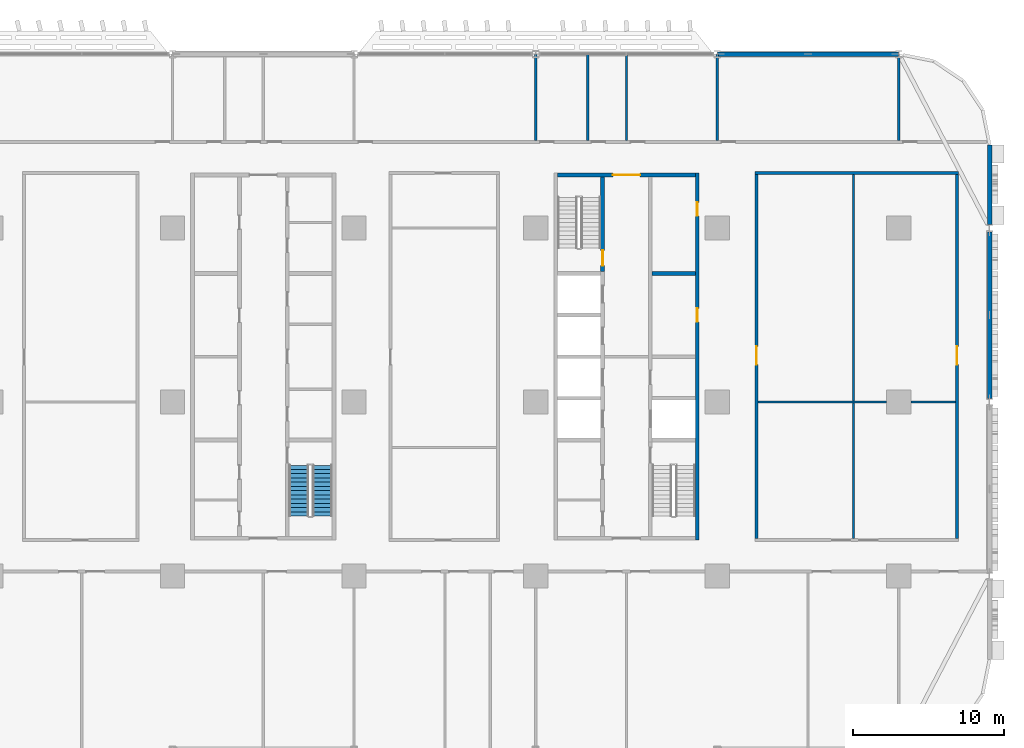
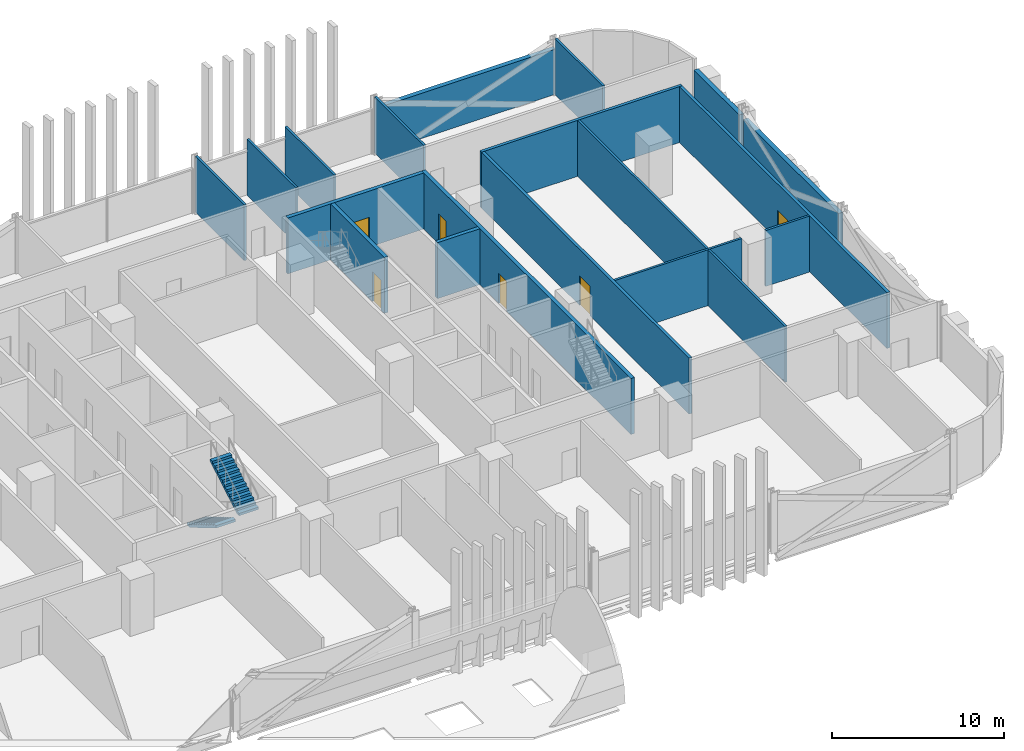
# One storey, part 15 of 31: 18 walls, 6 doors, 2 stair flights, 6 openings, 1 element without a shape of its own.
"""IFC4 building model written with IfcOpenShell, lengths in metres."""

from ifc_helpers import new_model, si_unit, direction, frame, frame_2d, origin, place, context, subcontext, project, spatial, polyline, rectangle, outline, extrude, material, layer, layer_set, type_object, element, fill, aggregate, save


model = new_model("IFC4")

# Units and contexts
model_context = context("Model", 3, precision=1e-05, world=origin(), true_north=direction((0.0, 1.0)))
body_context = subcontext(model_context, "Body", "Model", "MODEL_VIEW")
ifc_project = project(units=[si_unit("LENGTHUNIT", "METRE"), si_unit("AREAUNIT", "SQUARE_METRE"), si_unit("VOLUMEUNIT", "CUBIC_METRE"), si_unit("PLANEANGLEUNIT", "RADIAN"), si_unit("MASSUNIT", "GRAM", prefix="KILO")], contexts=[model_context])

# Site, building, storey
site_placement = place(None, origin())
site = spatial("IfcSite", under=ifc_project, at=site_placement, CompositionType="ELEMENT")
building_placement = place(site_placement, origin())
building = spatial("IfcBuilding", under=site, at=building_placement, Name="Mahtab Terrace Research Tower", CompositionType="ELEMENT")
storey_placement = place(building_placement, frame((0.0, 0.0, 11.5)))
storey = spatial("IfcBuildingStorey", under=building, at=storey_placement, Name="L02", CompositionType="ELEMENT", Elevation=11.5)

# Wall, openings, doors
ifc_material_1 = material(Name="Concrete C70/85", Category="concrete")
ifc_layer_1 = layer(ifc_material_1, 0.25)
ifc_layer_set_1 = layer_set([ifc_layer_1], Name="Core wall 250")
wall_type_1 = type_object("IfcWallType", Name="Core wall 250", PredefinedType="SOLIDWALL", material=ifc_layer_set_1)
wall_1_placement = place(storey_placement, frame((28.675048828125, -9.125, 0.0), z_axis=(0.0, 0.0, 1.0), x_axis=(0.0, 1.0, 0.0)))
wall_1 = element("IfcWall", 1, at=wall_1_placement, inside=storey, type_object=wall_type_1, Name="Core wall C outerE", PredefinedType="SOLIDWALL", context=body_context, shape_type="SweptSolid", body=[
    extrude(rectangle(XDim=24.25, YDim=0.25, at=frame_2d((12.125, 0.0))), origin(), (0.0, 0.0, 1.0), 3.9599609375),
])
opening_1_placement = place(wall_1_placement, frame((14.425048828125, 0.0, 0.0)))
opening_1 = element("IfcOpeningElement", 2, at=opening_1_placement, cuts=wall_1, Name="Opening C-R2", PredefinedType="OPENING", context=body_context, shape_type="SweptSolid", body=[
    extrude(rectangle(XDim=0.89990234375, YDim=2.10009765625, at=frame_2d((0.449951171875, 1.050048828125))), frame((0.0, 0.135009765625, 0.0), z_axis=(0.0, -1.0, 0.0), x_axis=(1.0, 0.0, 0.0)), (0.0, 0.0, 1.0), 0.27001953125),
])
opening_2_placement = place(wall_1_placement, frame((21.425048828125, 0.0, 0.0)))
opening_2 = element("IfcOpeningElement", 3, at=opening_2_placement, cuts=wall_1, Name="Opening C-R5", PredefinedType="OPENING", context=body_context, shape_type="SweptSolid", body=[
    extrude(rectangle(XDim=0.89990234375, YDim=2.10009765625, at=frame_2d((0.449951171875, 1.050048828125))), frame((0.0, 0.135009765625, 0.0), z_axis=(0.0, -1.0, 0.0), x_axis=(1.0, 0.0, 0.0)), (0.0, 0.0, 1.0), 0.27001953125),
])
ifc_material_2 = material(Name="Steel fire door", Category="steel")
door_type_1 = type_object("IfcDoorType", Name="Room door 900x2100 1 HR", OperationType="NOTDEFINED", PredefinedType="DOOR", material=ifc_material_2)
door_1_placement = place(opening_1_placement, origin())
door_1 = element("IfcDoor", 4, at=door_1_placement, inside=storey, type_object=door_type_1, Name="Plant room door", OperationType="SINGLE_SWING_RIGHT", OverallHeight=2.10009765625, OverallWidth=0.89990234375, PredefinedType="DOOR", context=body_context, shape_type="SweptSolid", body=[
    extrude(rectangle(XDim=0.89990234375, YDim=2.10009765625, at=frame_2d((0.449951171875, 1.050048828125))), frame((0.0, 0.02490234375, 0.0), z_axis=(0.0, -1.0, 0.0), x_axis=(1.0, 0.0, 0.0)), (0.0, 0.0, 1.0), 0.050048828125),
])
fill(opening_1, door_1)
door_2_placement = place(opening_2_placement, origin())
door_2 = element("IfcDoor", 5, at=door_2_placement, inside=storey, type_object=door_type_1, Name="Gas cylinder store door", OperationType="SINGLE_SWING_LEFT", OverallHeight=2.10009765625, OverallWidth=0.89990234375, PredefinedType="DOOR", context=body_context, shape_type="SweptSolid", body=[
    extrude(rectangle(XDim=0.89990234375, YDim=2.10009765625, at=frame_2d((0.449951171875, 1.050048828125))), frame((0.0, 0.02490234375, 0.0), z_axis=(0.0, -1.0, 0.0), x_axis=(1.0, 0.0, 0.0)), (0.0, 0.0, 1.0), 0.050048828125),
])
fill(opening_2, door_2)

# Wall, opening, door
wall_2_placement = place(storey_placement, frame((19.449951171875, 15.0, 0.0), z_axis=(0.0, 0.0, 1.0), x_axis=(1.0, 0.0, 0.0)))
wall_2 = element("IfcWall", 6, at=wall_2_placement, inside=storey, type_object=wall_type_1, Name="Core wall C endN", PredefinedType="SOLIDWALL", context=body_context, shape_type="SweptSolid", body=[
    extrude(rectangle(XDim=9.10009765625, YDim=0.25, at=frame_2d((4.550048828125, 0.0))), origin(), (0.0, 0.0, 1.0), 3.9599609375),
])
opening_3_placement = place(wall_2_placement, frame((3.64990234375, 0.0, 0.0)))
opening_3 = element("IfcOpeningElement", 7, at=opening_3_placement, cuts=wall_2, Name="Opening C-N1", PredefinedType="OPENING", context=body_context, shape_type="SweptSolid", body=[
    extrude(rectangle(XDim=1.800048828125, YDim=2.10009765625, at=frame_2d((0.89990234375, 1.050048828125))), frame((0.0, 0.135009765625, 0.0), z_axis=(0.0, -1.0, 0.0), x_axis=(1.0, 0.0, 0.0)), (0.0, 0.0, 1.0), 0.27001953125),
])
door_type_2 = type_object("IfcDoorType", Name="Lobby double door 1800x2100 1 HR", OperationType="DOUBLE_DOOR_SINGLE_SWING", PredefinedType="DOOR", material=ifc_material_2)
door_3_placement = place(opening_3_placement, origin())
door_3 = element("IfcDoor", 8, at=door_3_placement, inside=storey, type_object=door_type_2, Name="Core entrance door C N", OperationType="DOUBLE_DOOR_SINGLE_SWING", OverallHeight=2.10009765625, OverallWidth=1.800048828125, PredefinedType="DOOR", context=body_context, shape_type="SweptSolid", body=[
    extrude(rectangle(XDim=1.800048828125, YDim=2.10009765625, at=frame_2d((0.89990234375, 1.050048828125))), frame((0.0, 0.02490234375, 0.0), z_axis=(0.0, -1.0, 0.0), x_axis=(1.0, 0.0, 0.0)), (0.0, 0.0, 1.0), 0.050048828125),
])
fill(opening_3, door_3)

wall_3_placement = place(storey_placement, frame((22.425048828125, 14.875, 0.0), z_axis=(0.0, 0.0, 1.0), x_axis=(0.0, -1.0, 0.0)))
wall_3 = element("IfcWall", 9, at=wall_3_placement, inside=storey, type_object=wall_type_1, Name="Core wall C innerWN", PredefinedType="SOLIDWALL", context=body_context, shape_type="SweptSolid", body=[
    extrude(rectangle(XDim=6.25, YDim=0.25, at=frame_2d((3.125, 0.0))), origin(), (0.0, 0.0, 1.0), 3.9599609375),
])
opening_4_placement = place(wall_3_placement, frame((4.85009765625, 0.0, 0.0)))
opening_4 = element("IfcOpeningElement", 10, at=opening_4_placement, cuts=wall_3, Name="Opening C-ST3", PredefinedType="OPENING", context=body_context, shape_type="SweptSolid", body=[
    extrude(rectangle(XDim=1.0, YDim=2.10009765625, at=frame_2d((0.5, 1.050048828125))), frame((0.0, 0.135009765625, 0.0), z_axis=(0.0, -1.0, 0.0), x_axis=(1.0, 0.0, 0.0)), (0.0, 0.0, 1.0), 0.27001953125),
])
door_type_3 = type_object("IfcDoorType", Name="Stair door 1000x2100 1.5 HR", OperationType="NOTDEFINED", PredefinedType="DOOR", material=ifc_material_2)
door_4_placement = place(opening_4_placement, origin())
door_4 = element("IfcDoor", 11, at=door_4_placement, inside=storey, type_object=door_type_3, Name="Stair door ST3 L02", OperationType="SINGLE_SWING_RIGHT", OverallHeight=2.10009765625, OverallWidth=1.0, PredefinedType="DOOR", context=body_context, shape_type="SweptSolid", body=[
    extrude(rectangle(XDim=1.0, YDim=2.10009765625, at=frame_2d((0.5, 1.050048828125))), frame((0.0, 0.02490234375, 0.0), z_axis=(0.0, -1.0, 0.0), x_axis=(1.0, 0.0, 0.0)), (0.0, 0.0, 1.0), 0.050048828125),
])
fill(opening_4, door_4)

# Walls
wall_4_placement = place(storey_placement, frame((25.699951171875, 8.5, 0.0), z_axis=(0.0, 0.0, 1.0), x_axis=(1.0, 0.0, 0.0)))
element("IfcWall", 12, at=wall_4_placement, inside=storey, type_object=wall_type_1, Name="Core wall C divE4", PredefinedType="SOLIDWALL", context=body_context, shape_type="SweptSolid", body=[
    extrude(rectangle(XDim=2.85009765625, YDim=0.25, at=frame_2d((1.425048828125, 0.0))), origin(), (0.0, 0.0, 1.0), 3.9599609375),
])
ifc_material_3 = material(Name="Black aluminium cladding panel", Category="aluminium")
ifc_layer_2 = layer(ifc_material_3, 0.300048828125)
ifc_layer_set_2 = layer_set([ifc_layer_2], Name="Opaque facade wall 300")
wall_type_2 = type_object("IfcWallType", Name="Opaque facade wall 300", PredefinedType="NOTDEFINED", material=ifc_layer_set_2)
wall_5_placement = place(storey_placement, frame((41.97216796875, 23.0, 0.0), z_axis=(0.0, 0.0, 1.0), x_axis=(-1.0, 0.0, 0.0)))
element("IfcWall", 13, at=wall_5_placement, inside=storey, type_object=wall_type_2, Name="Opaque facade wall L02 N3", PredefinedType="NOTDEFINED", context=body_context, shape_type="SweptSolid", body=[
    extrude(rectangle(XDim=11.9443359375, YDim=0.300048828125, at=frame_2d((5.97216796875, 0.0))), origin(), (0.0, 0.0, 1.0), 3.203125),
])
wall_6_placement = place(storey_placement, frame((48.0, 0.2490234375, 0.0), z_axis=(0.0, 0.0, 1.0), x_axis=(0.0, 1.0, 0.0)))
element("IfcWall", 14, at=wall_6_placement, inside=storey, type_object=wall_type_2, Name="Opaque facade wall L02 E35", PredefinedType="NOTDEFINED", context=body_context, shape_type="SweptSolid", body=[
    extrude(rectangle(XDim=11.001953125, YDim=0.300048828125, at=frame_2d((5.5009765625, 0.0))), origin(), (0.0, 0.0, 1.0), 3.203125),
])
wall_7_placement = place(storey_placement, frame((48.0, 11.7490234375, 0.0), z_axis=(0.0, 0.0, 1.0), x_axis=(0.0, 1.0, 0.0)))
element("IfcWall", 15, at=wall_7_placement, inside=storey, type_object=wall_type_2, Name="Opaque facade wall L02 E36", PredefinedType="NOTDEFINED", context=body_context, shape_type="SweptSolid", body=[
    extrude(rectangle(XDim=5.2509765625, YDim=0.300048828125, at=frame_2d((2.62548828125, 0.0))), origin(), (0.0, 0.0, 1.0), 3.203125),
])
ifc_material_4 = material(Name="Gypsum board corridor wall on steel studs", Category="steel")
ifc_layer_3 = layer(ifc_material_4, 0.199951171875)
ifc_layer_set_3 = layer_set([ifc_layer_3], Name="WALL CORRIDOR 200")
wall_type_3 = type_object("IfcWallType", Name="WALL CORRIDOR 200", PredefinedType="PARTITIONING", material=ifc_layer_set_3)
wall_8_placement = place(storey_placement, frame((32.5, 15.125, 0.0), z_axis=(0.0, 0.0, 1.0), x_axis=(1.0, 0.0, 0.0)))
element("IfcWall", 16, at=wall_8_placement, inside=storey, type_object=wall_type_3, Name="L02-W025", PredefinedType="PARTITIONING", context=body_context, shape_type="SweptSolid", body=[
    extrude(rectangle(XDim=13.449951171875, YDim=0.199951171875, at=frame_2d((6.72509765625, 0.0))), origin(), (0.0, 0.0, 1.0), 3.9599609375),
])

# Wall, opening, door
wall_9_placement = place(storey_placement, frame((32.60009765625, -9.02490234375, 0.0), z_axis=(0.0, 0.0, 1.0), x_axis=(0.0, 1.0, 0.0)))
wall_9 = element("IfcWall", 17, at=wall_9_placement, inside=storey, type_object=wall_type_3, Name="L02-W059", PredefinedType="PARTITIONING", context=body_context, shape_type="SweptSolid", body=[
    extrude(rectangle(XDim=24.0498046875, YDim=0.199951171875, at=frame_2d((12.02490234375, 0.0))), origin(), (0.0, 0.0, 1.0), 3.9599609375),
])
opening_5_placement = place(wall_9_placement, frame((11.5, 0.0, 0.0)))
opening_5 = element("IfcOpeningElement", 18, at=opening_5_placement, cuts=wall_9, Name="Opening L02-126", PredefinedType="OPENING", context=body_context, shape_type="SweptSolid", body=[
    extrude(rectangle(XDim=1.199951171875, YDim=2.10009765625, at=frame_2d((0.60009765625, 1.050048828125))), frame((0.0, 0.10986328125, 0.0), z_axis=(0.0, -1.0, 0.0), x_axis=(1.0, 0.0, 0.0)), (0.0, 0.0, 1.0), 0.219970703125),
])
ifc_material_5 = material(Name="Timber door leaf in steel frame", Category="steel")
door_type_4 = type_object("IfcDoorType", Name="DOOR 1200X2100 FD30S", OperationType="SINGLE_SWING_LEFT", PredefinedType="DOOR", material=ifc_material_5)
door_5_placement = place(opening_5_placement, origin())
door_5 = element("IfcDoor", 19, at=door_5_placement, inside=storey, type_object=door_type_4, Name="Door L02-126", OperationType="SINGLE_SWING_LEFT", OverallHeight=2.10009765625, OverallWidth=1.199951171875, PredefinedType="DOOR", context=body_context, shape_type="SweptSolid", body=[
    extrude(rectangle(XDim=1.199951171875, YDim=2.10009765625, at=frame_2d((0.60009765625, 1.050048828125))), frame((0.0, 0.02490234375, 0.0), z_axis=(0.0, -1.0, 0.0), x_axis=(1.0, 0.0, 0.0)), (0.0, 0.0, 1.0), 0.050048828125),
])
fill(opening_5, door_5)

wall_10_placement = place(storey_placement, frame((45.85009765625, -9.02490234375, 0.0), z_axis=(0.0, 0.0, 1.0), x_axis=(0.0, 1.0, 0.0)))
wall_10 = element("IfcWall", 20, at=wall_10_placement, inside=storey, type_object=wall_type_3, Name="L02-W064", PredefinedType="PARTITIONING", context=body_context, shape_type="SweptSolid", body=[
    extrude(rectangle(XDim=24.0498046875, YDim=0.199951171875, at=frame_2d((12.02490234375, 0.0))), origin(), (0.0, 0.0, 1.0), 3.9599609375),
])
opening_6_placement = place(wall_10_placement, frame((11.5, 0.0, 0.0)))
opening_6 = element("IfcOpeningElement", 21, at=opening_6_placement, cuts=wall_10, Name="Opening L02-127", PredefinedType="OPENING", context=body_context, shape_type="SweptSolid", body=[
    extrude(rectangle(XDim=1.199951171875, YDim=2.10009765625, at=frame_2d((0.60009765625, 1.050048828125))), frame((0.0, 0.10986328125, 0.0), z_axis=(0.0, -1.0, 0.0), x_axis=(1.0, 0.0, 0.0)), (0.0, 0.0, 1.0), 0.219970703125),
])
door_6_placement = place(opening_6_placement, origin())
door_6 = element("IfcDoor", 22, at=door_6_placement, inside=storey, type_object=door_type_4, Name="Door L02-127", OperationType="SINGLE_SWING_RIGHT", OverallHeight=2.10009765625, OverallWidth=1.199951171875, PredefinedType="DOOR", context=body_context, shape_type="SweptSolid", body=[
    extrude(rectangle(XDim=1.199951171875, YDim=2.10009765625, at=frame_2d((0.60009765625, 1.050048828125))), frame((0.0, 0.02490234375, 0.0), z_axis=(0.0, -1.0, 0.0), x_axis=(1.0, 0.0, 0.0)), (0.0, 0.0, 1.0), 0.050048828125),
])
fill(opening_6, door_6)

# Walls
ifc_material_6 = material(Name="Gypsum board partition on steel studs", Category="steel")
ifc_layer_4 = layer(ifc_material_6, 0.14990234375)
ifc_layer_set_4 = layer_set([ifc_layer_4], Name="WALL PARTITION 150")
wall_type_4 = type_object("IfcWallType", Name="WALL PARTITION 150", PredefinedType="PARTITIONING", material=ifc_layer_set_4)
wall_11_placement = place(storey_placement, frame((32.699951171875, 0.0, 0.0), z_axis=(0.0, 0.0, 1.0), x_axis=(1.0, 0.0, 0.0)))
element("IfcWall", 23, at=wall_11_placement, inside=storey, type_object=wall_type_4, Name="L02-W017", PredefinedType="PARTITIONING", context=body_context, shape_type="SweptSolid", body=[
    extrude(rectangle(XDim=8.5, YDim=0.14990234375, at=frame_2d((4.25, 0.0))), origin(), (0.0, 0.0, 1.0), 3.9599609375),
])
wall_12_placement = place(storey_placement, frame((42.800048828125, 0.0, 0.0), z_axis=(0.0, 0.0, 1.0), x_axis=(1.0, 0.0, 0.0)))
element("IfcWall", 24, at=wall_12_placement, inside=storey, type_object=wall_type_4, Name="L02-W018", PredefinedType="PARTITIONING", context=body_context, shape_type="SweptSolid", body=[
    extrude(rectangle(XDim=2.949951171875, YDim=0.14990234375, at=frame_2d((1.47509765625, 0.0))), origin(), (0.0, 0.0, 1.0), 3.9599609375),
])
for number, where, z_axis, x_axis, name in (
    (25, (18.0, 17.300048828125, 0.0), (0.0, 0.0, 1.0), (0.0, 1.0, 0.0), "L02-W054"),
    (26, (21.449951171875, 17.300048828125, 0.0), (0.0, 0.0, 1.0), (0.0, 1.0, 0.0), "L02-W055"),
    (27, (24.0, 17.300048828125, 0.0), (0.0, 0.0, 1.0), (0.0, 1.0, 0.0), "L02-W057"),
    (28, (30.0, 17.300048828125, 0.0), (0.0, 0.0, 1.0), (0.0, 1.0, 0.0), "L02-W058"),
):
    element("IfcWall", number, at=place(storey_placement, frame(where, z_axis=z_axis, x_axis=x_axis)), inside=storey, type_object=wall_type_4, Name=name, PredefinedType="PARTITIONING", context=body_context, shape_type="SweptSolid", body=[
        extrude(rectangle(XDim=5.675048828125, YDim=0.14990234375, at=frame_2d((2.83740234375, 0.0))), origin(), (0.0, 0.0, 1.0), 3.9599609375),
    ])
wall_13_placement = place(storey_placement, frame((39.0, -9.02490234375, 0.0), z_axis=(0.0, 0.0, 1.0), x_axis=(0.0, 1.0, 0.0)))
element("IfcWall", 29, at=wall_13_placement, inside=storey, type_object=wall_type_4, Name="L02-W061", PredefinedType="PARTITIONING", context=body_context, shape_type="SweptSolid", body=[
    extrude(rectangle(XDim=24.0498046875, YDim=0.14990234375, at=frame_2d((12.02490234375, 0.0))), origin(), (0.0, 0.0, 1.0), 3.9599609375),
])
wall_14_placement = place(storey_placement, frame((42.0, 17.300048828125, 0.0), z_axis=(0.0, 0.0, 1.0), x_axis=(0.0, 1.0, 0.0)))
element("IfcWall", 30, at=wall_14_placement, inside=storey, type_object=wall_type_4, Name="L02-W063", PredefinedType="PARTITIONING", context=body_context, shape_type="SweptSolid", body=[
    extrude(rectangle(XDim=5.547119140625, YDim=0.14990234375, at=frame_2d((2.7734375, 0.0))), origin(), (0.0, 0.0, 1.0), 3.9599609375),
])

# Stair, stair flights
ifc_material_7 = material(Name="Exit stair half-turn")
stair_type = type_object("IfcStairType", Name="Exit stair half-turn", PredefinedType="HALF_TURN_STAIR", material=ifc_material_7)
stair_placement = place(storey_placement, origin())
stair = element("IfcStair", 31, at=stair_placement, inside=storey, type_object=stair_type, Name="L02 Protected exit stair ST2", PredefinedType="HALF_TURN_STAIR")
ifc_material_8 = material(Name="Concrete C40/50", Category="concrete")
stair_flight_type = type_object("IfcStairFlightType", Name="Exit stair flight 1300", PredefinedType="STRAIGHT", material=ifc_material_8)
stair_flight_1_placement = place(storey_placement, frame((2.35009765625, -4.175048828125, 0.0), z_axis=(0.0, 0.0, 1.0), x_axis=(0.0, -1.0, 0.0)))
stair_flight_1 = element("IfcStairFlight", 32, at=stair_flight_1_placement, type_object=stair_flight_type, Name="ST2 flight 1", NumberOfRisers=13, NumberOfTreads=12, PredefinedType="STRAIGHT", RiserHeight=0.165384615, TreadLength=0.28, context=body_context, shape_type="SweptSolid", body=[
    extrude(outline(polyline([(0.0, 0.0), (0.0, 0.165283203125), (0.280029296875, 0.165283203125), (0.280029296875, 0.330810546875), (0.56005859375, 0.330810546875), (0.56005859375, 0.49609375), (0.840087890625, 0.49609375), (0.840087890625, 0.66162109375), (1.1201171875, 0.66162109375), (1.1201171875, 0.826904296875), (1.39990234375, 0.826904296875), (1.39990234375, 0.9921875), (1.679931640625, 0.9921875), (1.679931640625, 1.15771484375), (1.9599609375, 1.15771484375), (1.9599609375, 1.322998046875), (2.239990234375, 1.322998046875), (2.239990234375, 1.488525390625), (2.52001953125, 1.488525390625), (2.52001953125, 1.65380859375), (2.800048828125, 1.65380859375), (2.800048828125, 1.8193359375), (3.080078125, 1.8193359375), (3.080078125, 1.984619140625), (3.360107421875, 1.984619140625), (3.360107421875, 2.14990234375), (3.360107421875, 1.810546875), (0.294677734375, 0.0), (0.0, 0.0)])), frame((0.0, 0.64990234375, 0.0), z_axis=(0.0, -1.0, 0.0), x_axis=(1.0, 0.0, 0.0)), (0.0, 0.0, 1.0), 1.300048828125),
])
stair_flight_2_placement = place(storey_placement, frame((3.89990234375, -7.534912109375, 2.14990234375), z_axis=(0.0, 0.0, 1.0), x_axis=(0.0, 1.0, 0.0)))
stair_flight_2 = element("IfcStairFlight", 33, at=stair_flight_2_placement, type_object=stair_flight_type, Name="ST2 flight 2", NumberOfRisers=13, NumberOfTreads=12, PredefinedType="STRAIGHT", RiserHeight=0.165384615, TreadLength=0.28, context=body_context, shape_type="SweptSolid", body=[
    extrude(outline(polyline([(0.0, 0.0), (0.0, 0.165283203125), (0.280029296875, 0.165283203125), (0.280029296875, 0.330810546875), (0.56005859375, 0.330810546875), (0.56005859375, 0.49609375), (0.840087890625, 0.49609375), (0.840087890625, 0.66162109375), (1.1201171875, 0.66162109375), (1.1201171875, 0.826904296875), (1.39990234375, 0.826904296875), (1.39990234375, 0.9921875), (1.679931640625, 0.9921875), (1.679931640625, 1.15771484375), (1.9599609375, 1.15771484375), (1.9599609375, 1.322998046875), (2.239990234375, 1.322998046875), (2.239990234375, 1.488525390625), (2.52001953125, 1.488525390625), (2.52001953125, 1.65380859375), (2.800048828125, 1.65380859375), (2.800048828125, 1.8193359375), (3.080078125, 1.8193359375), (3.080078125, 1.984619140625), (3.360107421875, 1.984619140625), (3.360107421875, 2.14990234375), (3.360107421875, 1.810546875), (0.294677734375, 0.0), (0.0, 0.0)])), frame((0.0, 0.64990234375, 0.0), z_axis=(0.0, -1.0, 0.0), x_axis=(1.0, 0.0, 0.0)), (0.0, 0.0, 1.0), 1.300048828125),
])
aggregate(stair, [stair_flight_1, stair_flight_2])

save(model, "model.ifc")
